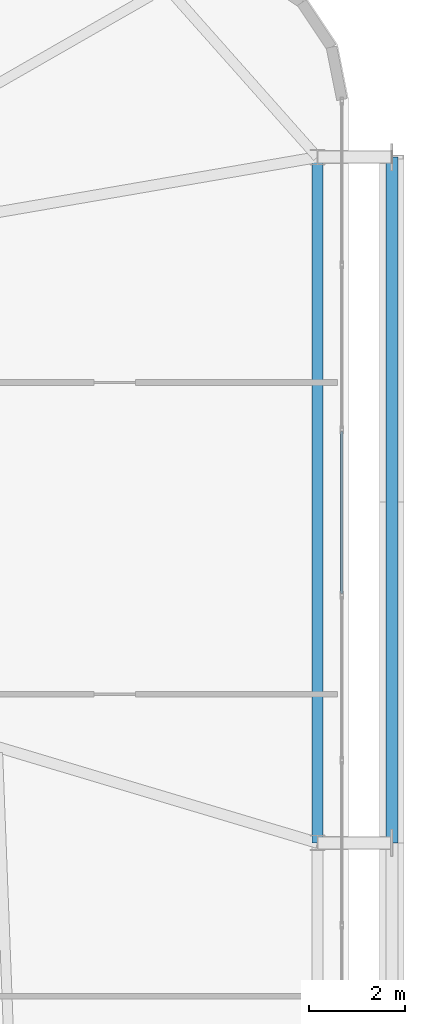
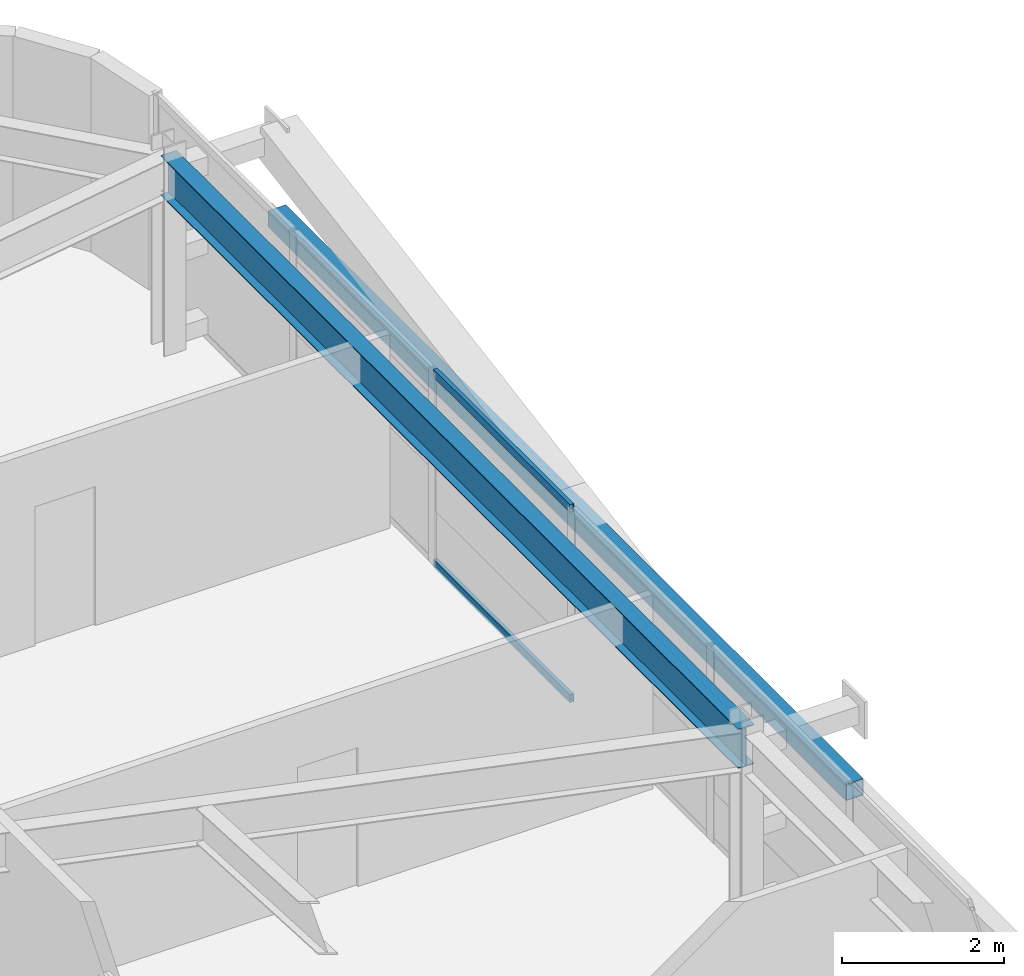
# One storey, part 31 of 59: 3 members, 1 beam, 1 element without a shape of its own.
"""IFC4 building model written with IfcOpenShell, lengths in metres."""

from ifc_helpers import new_model, si_unit, direction, frame, origin, origin_2d, place, context, subcontext, project, spatial, hollow_rectangle, i_section, extrude, source, transform, mapped, material, layer, layer_set, material_profile, profile_set, type_object, element, aggregate, save


model = new_model("IFC4")

# Units and contexts
model_context = context("Model", 3, precision=1e-05, world=origin(), true_north=direction((0.0, 1.0)))
body_context = subcontext(model_context, "Body", "Model", "MODEL_VIEW")
ifc_project = project(units=[si_unit("LENGTHUNIT", "METRE"), si_unit("AREAUNIT", "SQUARE_METRE"), si_unit("VOLUMEUNIT", "CUBIC_METRE"), si_unit("PLANEANGLEUNIT", "RADIAN"), si_unit("MASSUNIT", "GRAM", prefix="KILO")], contexts=[model_context])

# Site, building, storey
site_placement = place(None, origin())
site = spatial("IfcSite", under=ifc_project, at=site_placement, CompositionType="ELEMENT")
building_placement = place(site_placement, origin())
building = spatial("IfcBuilding", under=site, at=building_placement, Name="Taldren Reach Tower", CompositionType="ELEMENT")
storey_placement = place(building_placement, frame((0.0, 0.0, 45.14990234375)))
storey = spatial("IfcBuildingStorey", under=building, at=storey_placement, Name="L13", CompositionType="ELEMENT", Elevation=45.14990234375)

# Beam
ifc_material_1 = material(Name="Steel Gr 350 (350PLUS)", Category="steel")
ifc_material_profile_1 = material_profile(ifc_material_1, i_section(OverallWidth=0.22802734375, OverallDepth=0.60205078125, WebThickness=0.010498046875, FlangeThickness=0.014892578125, at=origin_2d()), Name="610UB101")
ifc_profile_set_1 = profile_set([ifc_material_profile_1], Name="Steel Gr 350 (350PLUS)")
beam_type = type_object("IfcBeamType", Name="BM-UB610B", PredefinedType="BEAM", material=ifc_profile_set_1)
shared_shape_1 = source(origin(), body_context, "Body", "SweptSolid", [
    extrude(i_section(OverallWidth=0.22802734375, OverallDepth=0.60205078125, WebThickness=0.010498046875, FlangeThickness=0.014892578125, at=origin_2d()), origin(), (0.0, 0.0, 1.0), 14.300048828125),
])
beam_placement = place(storey_placement, frame((64.35009765625, 20.0, 2.629150390625), z_axis=(0.0, 1.0, 0.0), x_axis=(-1.0, 0.0, 0.0)))
element("IfcBeam", 1, at=beam_placement, inside=storey, type_object=beam_type, Name="Perimeter gable girder B1 E2-E3 L13", PredefinedType="BEAM", context=body_context, shape_type="MappedRepresentation", body=[
    mapped(shared_shape_1, transform((0.0, 0.0, 0.0), scale=1.0)),
])

# Member
ifc_material_2 = material(Name="Steel Gr 350 (C350L0)", Category="steel")
ifc_material_profile_2 = material_profile(ifc_material_2, hollow_rectangle(XDim=0.25, YDim=0.25, WallThickness=0.010009765625, at=origin_2d()), Name="250x250x10.0SHS")
ifc_profile_set_2 = profile_set([ifc_material_profile_2], Name="Steel Gr 350 (C350L0)")
member_type_1 = type_object("IfcMemberType", Name="MB-POST250", PredefinedType="POST", material=ifc_profile_set_2)
shared_shape_2 = source(origin(), body_context, "Body", "SweptSolid", [
    extrude(hollow_rectangle(XDim=0.25, YDim=0.25, WallThickness=0.010009765625, at=origin_2d()), origin(), (0.0, 0.0, 1.0), 14.300048828125),
])
member_1_placement = place(storey_placement, frame((65.89990234375, 20.0, 1.43505859375), z_axis=(0.0, 1.0, 0.0), x_axis=(-1.0, 0.0, 0.0)))
element("IfcMember", 2, at=member_1_placement, inside=storey, type_object=member_type_1, Name="Exoskeleton mid-height ring chord B1-E2 L13", PredefinedType="POST", context=body_context, shape_type="MappedRepresentation", body=[
    mapped(shared_shape_2, transform((0.0, 0.0, 0.0), scale=1.0)),
])

# Curtain wall, members
ifc_material_3 = material(Name="Aluminium and Low-E Glass Unitised System", Category="aluminium")
ifc_layer = layer(ifc_material_3, 0.159912109375)
ifc_layer_set = layer_set([ifc_layer], Name="Aluminium and Low-E Glass Unitised System")
curtain_wall_type = type_object("IfcCurtainWallType", Name="CW-SYS-2", PredefinedType="NOTDEFINED", material=ifc_layer_set)
curtain_wall_placement = place(storey_placement, origin())
curtain_wall = element("IfcCurtainWall", 3, at=curtain_wall_placement, inside=storey, type_object=curtain_wall_type, Name="Unitised curtain wall CW-L13-E", PredefinedType="NOTDEFINED")
ifc_material_4 = material(Name="Anodised Aluminium 6063-T6", Category="aluminium")
ifc_material_profile_3 = material_profile(ifc_material_4, hollow_rectangle(XDim=0.054931640625, YDim=0.1201171875, WallThickness=0.0029296875, at=origin_2d()), Name="ALU-120x55x3RHS")
ifc_profile_set_3 = profile_set([ifc_material_profile_3], Name="Anodised Aluminium 6063-T6")
member_type_2 = type_object("IfcMemberType", Name="CW-TRN-135", PredefinedType="USERDEFINED", material=ifc_profile_set_3)
shared_shape_3 = source(origin(), body_context, "Body", "SweptSolid", [
    extrude(hollow_rectangle(XDim=0.054931640625, YDim=0.1201171875, WallThickness=0.0029296875, at=origin_2d()), origin(), (0.0, 0.0, 1.0), 3.37939453125),
])
member_2_placement = place(storey_placement, frame((64.860107421875, 25.19921875, 0.027587890625), z_axis=(0.0, 1.0, 0.0), x_axis=(-1.0, 0.0, 0.0)))
member_2 = element("IfcMember", 4, at=member_2_placement, type_object=member_type_2, Name="CW-2 transom 7.1", ObjectType="TRANSOM", PredefinedType="USERDEFINED", context=body_context, shape_type="MappedRepresentation", body=[
    mapped(shared_shape_3, transform((0.0, 0.0, 0.0), scale=1.0)),
])
member_3_placement = place(storey_placement, frame((64.860107421875, 25.19921875, 2.902587890625), z_axis=(0.0, 1.0, 0.0), x_axis=(-1.0, 0.0, 0.0)))
member_3 = element("IfcMember", 5, at=member_3_placement, type_object=member_type_2, Name="CW-2 transom 7.2", ObjectType="TRANSOM", PredefinedType="USERDEFINED", context=body_context, shape_type="MappedRepresentation", body=[
    mapped(shared_shape_3, transform((0.0, 0.0, 0.0), scale=1.0)),
])
aggregate(curtain_wall, [member_2, member_3])

save(model, "model.ifc")
